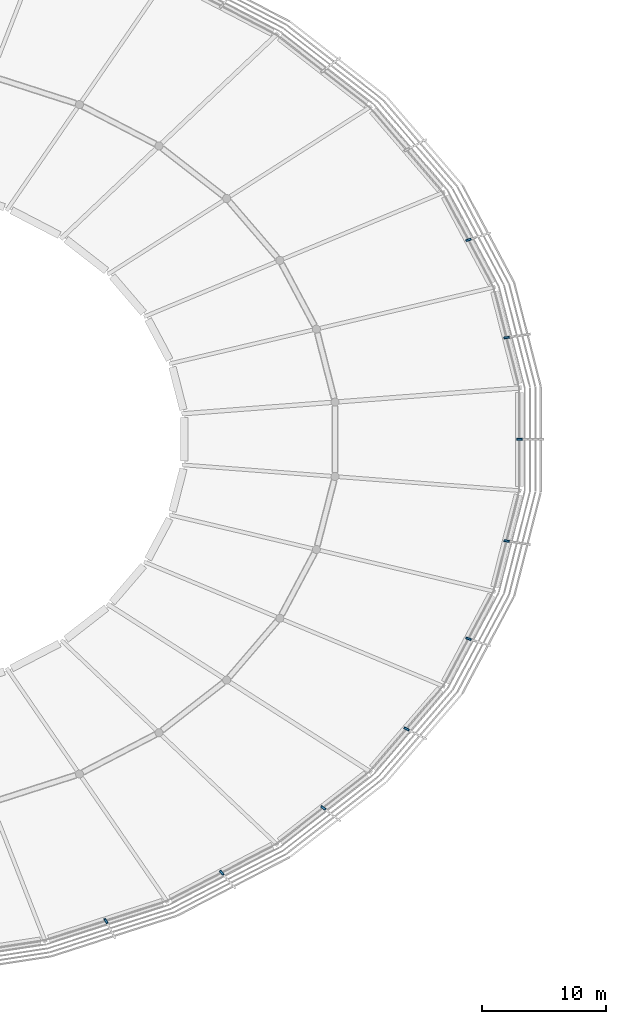
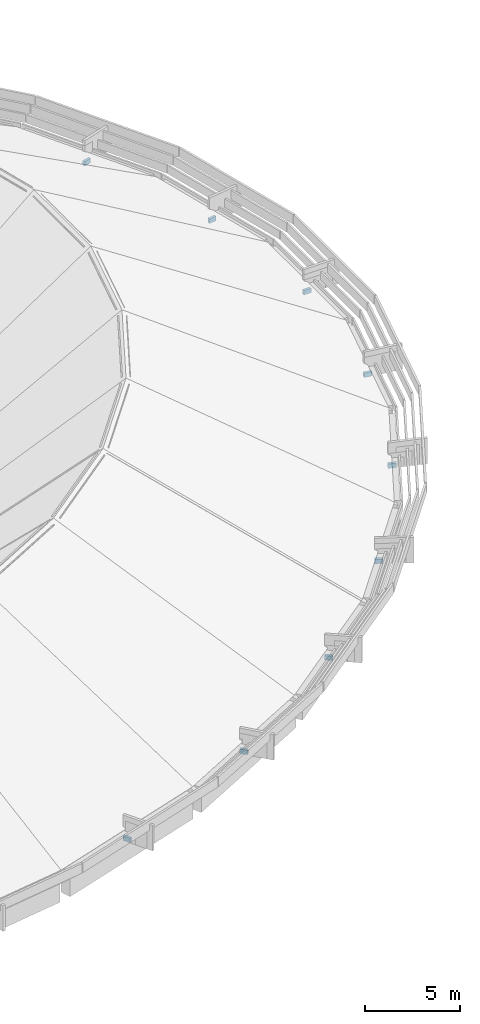
# One storey, part 13 of 15: 9 discrete accessories.
"""IFC4 building model written with IfcOpenShell, lengths in metres."""

from ifc_helpers import new_model, si_unit, direction, frame, origin, origin_2d, place, context, subcontext, project, spatial, rectangle, extrude, material, type_object, element, save


model = new_model("IFC4")

# Units and contexts
model_context = context("Model", 3, precision=1e-05, world=origin(), true_north=direction((0.0, 1.0)))
body_context = subcontext(model_context, "Body", "Model", "MODEL_VIEW")
ifc_project = project(units=[si_unit("LENGTHUNIT", "METRE"), si_unit("AREAUNIT", "SQUARE_METRE"), si_unit("VOLUMEUNIT", "CUBIC_METRE"), si_unit("PLANEANGLEUNIT", "RADIAN"), si_unit("MASSUNIT", "GRAM", prefix="KILO")], contexts=[model_context])

# Site, building, storey
site_placement = place(None, origin())
site = spatial("IfcSite", under=ifc_project, at=site_placement, CompositionType="ELEMENT")
building_placement = place(site_placement, origin())
building = spatial("IfcBuilding", under=site, at=building_placement, Name="Corvandel Quay Wholesale Market", CompositionType="ELEMENT")
storey_placement = place(building_placement, frame((0.0, 0.0, 19.199951171875)))
storey = spatial("IfcBuildingStorey", under=building, at=storey_placement, Name="RF", CompositionType="ELEMENT", Elevation=19.199951171875)

# Discrete accessories
ifc_material = material(Name="Austenitic stainless steel Grade 316", Category="steel")
discrete_accessory_type = type_object("IfcDiscreteAccessoryType", Name="Stainless Solar Fin Fixing Bracket BRK01", PredefinedType="USERDEFINED", material=ifc_material)
for number, where, z_axis, x_axis, name in (
    (1, (166.982421875, 50.197021484375, -4.85009765625), (0.0, 0.0, 1.0), (0.98825506746, 0.152813355565, 0.0), "Fascia Outrigger Bracket 0258"),
    (2, (163.908447265625, 58.07861328125, -4.85009765625), (0.0, 0.0, 1.0), (0.951808747363, 0.306692204733, 0.0), "Fascia Outrigger Bracket 0259"),
    (3, (134.67431640625, 3.17919921875, -4.85009765625), (0.0, 0.0, 1.0), (-0.470087862033, 0.882619624736, 0.0), "Fascia Outrigger Bracket 0283"),
    (4, (144.013916015625, 7.062744140625, -4.85009765625), (0.0, 0.0, 1.0), (-0.65170135625, 0.758475670184, 0.0), "Fascia Outrigger Bracket 0284"),
    (5, (152.19970703125, 12.289306640625, -4.85009765625), (0.0, 0.0, 1.0), (-0.789405615633, 0.613871952452, 0.0), "Fascia Outrigger Bracket 0285"),
    (6, (158.917236328125, 18.6572265625, -4.85009765625), (0.0, 0.0, 1.0), (-0.887332978338, 0.461129250378, 0.0), "Fascia Outrigger Bracket 0286"),
    (7, (163.908447265625, 25.92138671875, -4.85009765625), (0.0, 0.0, 1.0), (-0.951808747363, 0.306692204733, 0.0), "Fascia Outrigger Bracket 0287"),
    (8, (166.982421875, 33.802978515625, -4.85009765625), (0.0, 0.0, 1.0), (-0.98825506746, 0.152813355565, 0.0), "Fascia Outrigger Bracket 0288"),
    (9, (168.02001953125, 42.0, -4.85009765625), (0.0, 0.0, 1.0), (1.0, 0.0, 0.0), "Fascia Outrigger Bracket 0289"),
):
    element("IfcDiscreteAccessory", number, at=place(storey_placement, frame(where, z_axis=z_axis, x_axis=x_axis)), inside=storey, type_object=discrete_accessory_type, Name=name, ObjectType="BRACKET", PredefinedType="USERDEFINED", context=body_context, shape_type="SweptSolid", body=[
        extrude(rectangle(XDim=0.43994140625, YDim=0.159912109375, at=origin_2d()), origin(), (0.0, 0.0, 1.0), 0.280029296875),
    ])

save(model, "model.ifc")
